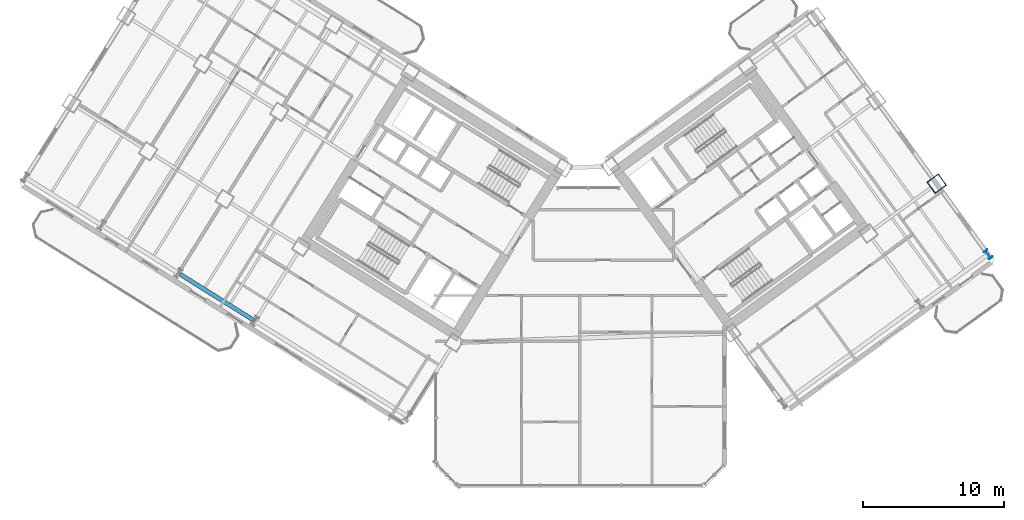
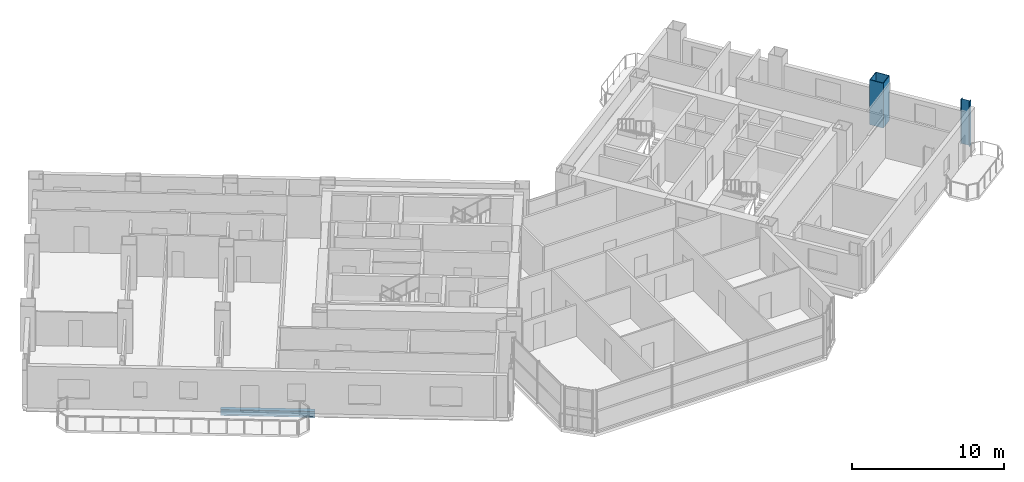
# One storey, part 4 of 24: 2 columns, 1 beam.
"""IFC4 building model written with IfcOpenShell, lengths in metres."""

from ifc_helpers import new_model, si_unit, direction, frame, origin, origin_2d, place, context, subcontext, project, spatial, hollow_rectangle, i_section, extrude, source, transform, mapped, material, material_profile, profile_set, type_object, element, save


model = new_model("IFC4")

# Units and contexts
model_context = context("Model", 3, precision=1e-05, world=origin(), true_north=direction((0.0, 1.0)))
body_context = subcontext(model_context, "Body", "Model", "MODEL_VIEW")
ifc_project = project(units=[si_unit("LENGTHUNIT", "METRE"), si_unit("AREAUNIT", "SQUARE_METRE"), si_unit("VOLUMEUNIT", "CUBIC_METRE"), si_unit("PLANEANGLEUNIT", "RADIAN"), si_unit("MASSUNIT", "GRAM", prefix="KILO")], contexts=[model_context])

# Site, building, storey
site_placement = place(None, origin())
site = spatial("IfcSite", under=ifc_project, at=site_placement, CompositionType="ELEMENT")
building_placement = place(site_placement, origin())
building = spatial("IfcBuilding", under=site, at=building_placement, Name="Tlacorven Tower", CompositionType="ELEMENT")
storey_placement = place(building_placement, frame((0.0, 0.0, 38.39990234375)))
storey = spatial("IfcBuildingStorey", under=building, at=storey_placement, Name="L09", CompositionType="ELEMENT", Elevation=38.39990234375)

# Columns
ifc_material_1 = material(Name="Steel S460M", Category="steel")
ifc_material_profile_1 = material_profile(ifc_material_1, hollow_rectangle(XDim=1.0, YDim=1.0, WallThickness=0.0400390625, at=origin_2d()), Name="BOX 1000X1000X40")
ifc_profile_set_1 = profile_set([ifc_material_profile_1], Name="Steel S460M")
column_type_1 = type_object("IfcColumnType", Name="COL-TWR-S1", PredefinedType="COLUMN", material=ifc_profile_set_1)
shared_shape_1 = source(origin(), body_context, "Body", "SweptSolid", [
    extrude(hollow_rectangle(XDim=1.0, YDim=1.0, WallThickness=0.0400390625, at=origin_2d()), origin(), (0.0, 0.0, 1.0), 3.60009765625),
])
column_1_placement = place(storey_placement, frame((67.267822265625, 23.353515625, 0.0), z_axis=(0.0, 0.0, 1.0), x_axis=(0.809016994375, 0.587785252292, 0.0)))
element("IfcColumn", 1, at=column_1_placement, inside=storey, type_object=column_type_1, Name="L09 column COL-L09-E4-2", PredefinedType="COLUMN", context=body_context, shape_type="MappedRepresentation", body=[
    mapped(shared_shape_1, transform((0.0, 0.0, 0.0), scale=1.0)),
])
ifc_material_profile_2 = material_profile(ifc_material_1, i_section(OverallWidth=0.300048828125, OverallDepth=0.64990234375, WebThickness=0.01611328125, FlangeThickness=0.031005859375, at=origin_2d()), Name="HEB 650")
ifc_profile_set_2 = profile_set([ifc_material_profile_2], Name="Steel S460M")
column_type_2 = type_object("IfcColumnType", Name="COL-TWR-P1", PredefinedType="COLUMN", material=ifc_profile_set_2)
shared_shape_2 = source(origin(), body_context, "Body", "SweptSolid", [
    extrude(i_section(OverallWidth=0.300048828125, OverallDepth=0.64990234375, WebThickness=0.01611328125, FlangeThickness=0.031005859375, at=origin_2d()), origin(), (0.0, 0.0, 1.0), 3.60009765625),
])
column_2_placement = place(storey_placement, frame((70.911865234375, 18.337646484375, 0.0), z_axis=(0.0, 0.0, 1.0), x_axis=(0.809016994375, 0.587785252292, 0.0)))
element("IfcColumn", 2, at=column_2_placement, inside=storey, type_object=column_type_2, Name="L09 column COL-L09-E4-1", PredefinedType="COLUMN", context=body_context, shape_type="MappedRepresentation", body=[
    mapped(shared_shape_2, transform((0.0, 0.0, 0.0), scale=1.0)),
])

# Beam
ifc_material_2 = material(Name="Steel S355J2", Category="steel")
ifc_material_profile_3 = material_profile(ifc_material_2, i_section(OverallWidth=0.300048828125, OverallDepth=0.489990234375, WebThickness=0.011962890625, FlangeThickness=0.02294921875, at=origin_2d()), Name="HEA 500")
ifc_profile_set_3 = profile_set([ifc_material_profile_3], Name="Steel S355J2")
beam_type = type_object("IfcBeamType", Name="BM-SPN-500", PredefinedType="SPANDREL", material=ifc_profile_set_3)
shared_shape_3 = source(origin(), body_context, "Body", "SweptSolid", [
    extrude(i_section(OverallWidth=0.300048828125, OverallDepth=0.489990234375, WebThickness=0.011962890625, FlangeThickness=0.02294921875, at=origin_2d()), origin(), (0.0, 0.0, 1.0), 6.199951171875),
])
beam_placement = place(storey_placement, frame((18.82080078125, 13.6650390625, -0.494873046875), z_axis=(-0.848051394107, 0.529913986372, 0.0), x_axis=(-0.529913986372, -0.848051394107, 0.0)))
element("IfcBeam", 3, at=beam_placement, inside=storey, type_object=beam_type, Name="L09 beam BM-L09-WL4-3", PredefinedType="SPANDREL", context=body_context, shape_type="MappedRepresentation", body=[
    mapped(shared_shape_3, transform((0.0, 0.0, 0.0), scale=1.0)),
])

save(model, "model.ifc")
